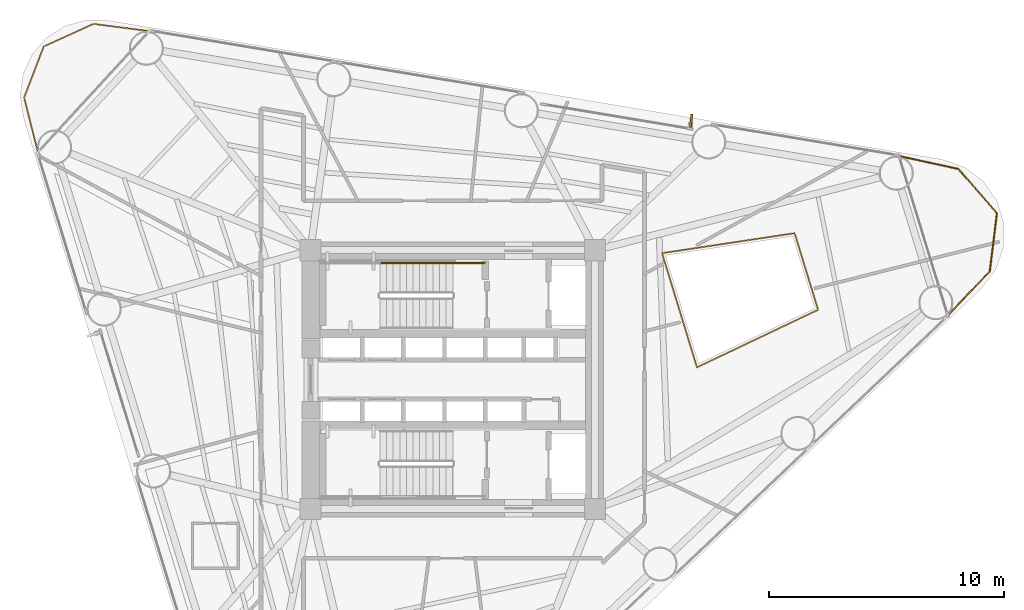
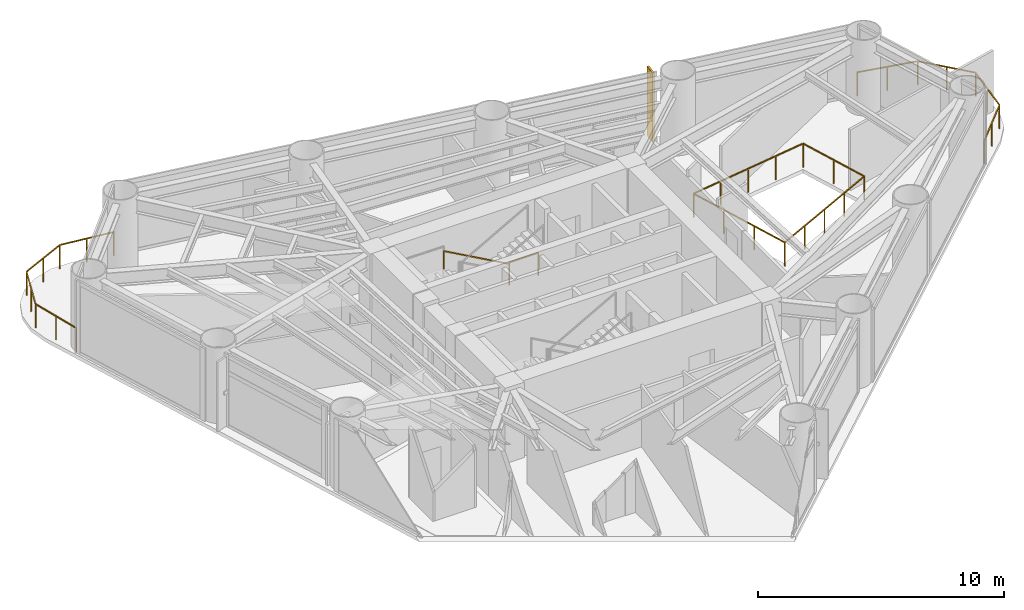
# One storey, part 10 of 10: 5 railings, 1 shading device.
"""IFC4 building model written with IfcOpenShell, lengths in metres."""

from ifc_helpers import new_model, si_unit, direction, frame, origin, origin_2d, place, context, subcontext, project, spatial, rectangle, extrude, source, transform, mapped, material, material_profile, profile_set, type_object, element, save


model = new_model("IFC4")

# Units and contexts
model_context = context("Model", 3, precision=1e-05, world=origin(), true_north=direction((0.0, 1.0)))
body_context = subcontext(model_context, "Body", "Model", "MODEL_VIEW")
ifc_project = project(units=[si_unit("LENGTHUNIT", "METRE"), si_unit("AREAUNIT", "SQUARE_METRE"), si_unit("VOLUMEUNIT", "CUBIC_METRE"), si_unit("PLANEANGLEUNIT", "RADIAN"), si_unit("MASSUNIT", "GRAM", prefix="KILO")], contexts=[model_context])

# Site, building, storey
site_placement = place(None, origin())
site = spatial("IfcSite", under=ifc_project, at=site_placement, CompositionType="ELEMENT")
building_placement = place(site_placement, origin())
building = spatial("IfcBuilding", under=site, at=building_placement, Name="Yunling Apex Tower", CompositionType="ELEMENT")
storey_placement = place(building_placement, frame((0.0, 0.0, 112.39990234375)))
storey = spatial("IfcBuildingStorey", under=building, at=storey_placement, Name="L28", CompositionType="ELEMENT", Elevation=112.39990234375)

# Railings
ifc_material_1 = material(Name="Bronze anodised aluminium", Category="aluminium")
railing_type_1 = type_object("IfcRailingType", Name="RL-BAL-1200", PredefinedType="BALUSTRADE", material=ifc_material_1)
railing_1_placement = place(storey_placement, frame((18.976806640625, 9.5029296875, 0.0)))
element("IfcRailing", 1, at=railing_1_placement, inside=storey, type_object=railing_type_1, Name="RL-CRNSILL-L28-1", PredefinedType="BALUSTRADE", context=body_context, shape_type="SweptSolid", body=[
    extrude(rectangle(XDim=0.0439453125, YDim=0.0439453125, at=origin_2d()), origin(), (0.0, 0.0, 1.0), 1.199951171875),
    extrude(rectangle(XDim=0.0439453125, YDim=0.0439453125, at=origin_2d()), frame((2.5205078125, -0.54833984375, 0.0)), (0.0, 0.0, 1.0), 1.199951171875),
    extrude(rectangle(XDim=0.050048828125, YDim=0.050048828125, at=origin_2d()), frame((0.037353515625, -0.008056640625, 1.1748046875), z_axis=(0.977143892078, -0.212578959861, 0.0), x_axis=(0.212578959861, 0.977143892078, 0.0)), (0.0, 0.0, 1.0), 2.502685546875),
    extrude(rectangle(XDim=0.0439453125, YDim=0.0439453125, at=origin_2d()), frame((1.26025390625, -0.274169921875, 0.0)), (0.0, 0.0, 1.0), 1.14599609375),
    extrude(rectangle(XDim=0.0439453125, YDim=0.0439453125, at=origin_2d()), frame((4.156005859375, -2.430419921875, 0.0)), (0.0, 0.0, 1.0), 1.199951171875),
    extrude(rectangle(XDim=0.050048828125, YDim=0.050048828125, at=origin_2d()), frame((2.545654296875, -0.577392578125, 1.1748046875), z_axis=(0.655928991852, -0.754822600117, 0.0), x_axis=(0.754822600117, 0.655928991852, 0.0)), (0.0, 0.0, 1.0), 2.416748046875),
    extrude(rectangle(XDim=0.0439453125, YDim=0.0439453125, at=origin_2d()), frame((3.33837890625, -1.4892578125, 0.0)), (0.0, 0.0, 1.0), 1.14599609375),
    extrude(rectangle(XDim=0.0439453125, YDim=0.0439453125, at=origin_2d()), frame((3.8525390625, -4.905517578125, 0.0)), (0.0, 0.0, 1.0), 1.199951171875),
    extrude(rectangle(XDim=0.050048828125, YDim=0.050048828125, at=origin_2d()), frame((4.1513671875, -2.468505859375, 1.1748046875), z_axis=(-0.121696705052, -0.992567333726, 0.0), x_axis=(0.992567333726, -0.121696705052, 0.0)), (0.0, 0.0, 1.0), 2.4169921875),
    extrude(rectangle(XDim=0.0439453125, YDim=0.0439453125, at=origin_2d()), frame((4.00439453125, -3.66796875, 0.0)), (0.0, 0.0, 1.0), 1.14599609375),
    extrude(rectangle(XDim=0.0439453125, YDim=0.0439453125, at=origin_2d()), frame((2.06982421875, -6.76953125, 0.0)), (0.0, 0.0, 1.0), 1.199951171875),
    extrude(rectangle(XDim=0.050048828125, YDim=0.050048828125, at=origin_2d()), frame((3.825927734375, -4.93310546875, 1.1748046875), z_axis=(-0.691171065155, -0.722691191791, 0.0), x_axis=(0.722691191791, -0.691171065155, 0.0)), (0.0, 0.0, 1.0), 2.502685546875),
    extrude(rectangle(XDim=0.0439453125, YDim=0.0439453125, at=origin_2d()), frame((2.961181640625, -5.83740234375, 0.0)), (0.0, 0.0, 1.0), 1.14599609375),
])
railing_2_placement = place(storey_placement, frame((-17.63525390625, 9.6669921875, 0.0)))
element("IfcRailing", 2, at=railing_2_placement, inside=storey, type_object=railing_type_1, Name="RL-CRNSILL-L28-2", PredefinedType="BALUSTRADE", context=body_context, shape_type="SweptSolid", body=[
    extrude(rectangle(XDim=0.0439453125, YDim=0.0439453125, at=origin_2d()), origin(), (0.0, 0.0, 1.0), 1.199951171875),
    extrude(rectangle(XDim=0.0439453125, YDim=0.0439453125, at=origin_2d()), frame((-0.58642578125, 2.31884765625, 0.0)), (0.0, 0.0, 1.0), 1.199951171875),
    extrude(rectangle(XDim=0.050048828125, YDim=0.050048828125, at=origin_2d()), frame((-0.00927734375, 0.037109375, 1.1748046875), z_axis=(-0.245176585422, 0.96947843811, 0.0), x_axis=(-0.96947843811, -0.245176585422, 0.0)), (0.0, 0.0, 1.0), 2.315185546875),
    extrude(rectangle(XDim=0.0439453125, YDim=0.0439453125, at=origin_2d()), frame((-0.293212890625, 1.159423828125, 0.0)), (0.0, 0.0, 1.0), 1.14599609375),
    extrude(rectangle(XDim=0.0439453125, YDim=0.0439453125, at=origin_2d()), frame((0.2470703125, 4.49267578125, 0.0)), (0.0, 0.0, 1.0), 1.199951171875),
    extrude(rectangle(XDim=0.050048828125, YDim=0.050048828125, at=origin_2d()), frame((-0.57275390625, 2.354736328125, 1.1748046875), z_axis=(0.358009154452, 0.933718075935, 0.0), x_axis=(-0.933718075935, 0.358009154452, 0.0)), (0.0, 0.0, 1.0), 2.25146484375),
    extrude(rectangle(XDim=0.0439453125, YDim=0.0439453125, at=origin_2d()), frame((-0.169677734375, 3.40576171875, 0.0)), (0.0, 0.0, 1.0), 1.14599609375),
    extrude(rectangle(XDim=0.0439453125, YDim=0.0439453125, at=origin_2d()), frame((2.359375, 5.453369140625, 0.0)), (0.0, 0.0, 1.0), 1.199951171875),
    extrude(rectangle(XDim=0.050048828125, YDim=0.050048828125, at=origin_2d()), frame((0.281982421875, 4.508544921875, 1.1748046875), z_axis=(0.910276378893, 0.4140011039, 0.0), x_axis=(-0.4140011039, 0.910276378893, 0.0)), (0.0, 0.0, 1.0), 2.243896484375),
    extrude(rectangle(XDim=0.0439453125, YDim=0.0439453125, at=origin_2d()), frame((1.30322265625, 4.97314453125, 0.0)), (0.0, 0.0, 1.0), 1.14599609375),
    extrude(rectangle(XDim=0.0439453125, YDim=0.0439453125, at=origin_2d()), frame((4.732666015625, 5.14794921875, 0.0)), (0.0, 0.0, 1.0), 1.199951171875),
    extrude(rectangle(XDim=0.050048828125, YDim=0.050048828125, at=origin_2d()), frame((2.3974609375, 5.448486328125, 1.1748046875), z_axis=(0.991820835982, -0.127637883532, 0.0), x_axis=(0.127637883532, 0.991820835982, 0.0)), (0.0, 0.0, 1.0), 2.316162109375),
    extrude(rectangle(XDim=0.0439453125, YDim=0.0439453125, at=origin_2d()), frame((3.5458984375, 5.30078125, 0.0)), (0.0, 0.0, 1.0), 1.14599609375),
])
railing_3_placement = place(storey_placement, frame((8.897216796875, 5.375244140625, 0.0)))
element("IfcRailing", 3, at=railing_3_placement, inside=storey, type_object=railing_type_1, Name="RL-TATR-L28", PredefinedType="BALUSTRADE", context=body_context, shape_type="SweptSolid", body=[
    extrude(rectangle(XDim=0.0439453125, YDim=0.0439453125, at=origin_2d()), origin(), (0.0, 0.0, 1.0), 1.199951171875),
    extrude(rectangle(XDim=0.0439453125, YDim=0.0439453125, at=origin_2d()), frame((5.637939453125, 0.849853515625, 0.0)), (0.0, 0.0, 1.0), 1.199951171875),
    extrude(rectangle(XDim=0.050048828125, YDim=0.050048828125, at=origin_2d()), frame((0.037841796875, 0.005615234375, 1.1748046875), z_axis=(0.988828994204, 0.149054420336, 0.0), x_axis=(-0.149054420336, 0.988828994204, 0.0)), (0.0, 0.0, 1.0), 5.625),
    extrude(rectangle(XDim=0.0439453125, YDim=0.0439453125, at=origin_2d()), frame((1.409423828125, 0.21240234375, 0.0)), (0.0, 0.0, 1.0), 1.14599609375),
    extrude(rectangle(XDim=0.0439453125, YDim=0.0439453125, at=origin_2d()), frame((2.81884765625, 0.4248046875, 0.0)), (0.0, 0.0, 1.0), 1.14599609375),
    extrude(rectangle(XDim=0.0439453125, YDim=0.0439453125, at=origin_2d()), frame((4.228515625, 0.637451171875, 0.0)), (0.0, 0.0, 1.0), 1.14599609375),
    extrude(rectangle(XDim=0.0439453125, YDim=0.0439453125, at=origin_2d()), frame((6.6337890625, -2.408203125, 0.0)), (0.0, 0.0, 1.0), 1.199951171875),
    extrude(rectangle(XDim=0.050048828125, YDim=0.050048828125, at=origin_2d()), frame((5.649169921875, 0.813232421875, 1.1748046875), z_axis=(0.292307744699, -0.956324308166, 0.0), x_axis=(0.956324308166, 0.292307744699, 0.0)), (0.0, 0.0, 1.0), 3.330078125),
    extrude(rectangle(XDim=0.0439453125, YDim=0.0439453125, at=origin_2d()), frame((6.1357421875, -0.779296875, 0.0)), (0.0, 0.0, 1.0), 1.14599609375),
    extrude(rectangle(XDim=0.0439453125, YDim=0.0439453125, at=origin_2d()), frame((1.484619140625, -4.856201171875, 0.0)), (0.0, 0.0, 1.0), 1.199951171875),
    extrude(rectangle(XDim=0.050048828125, YDim=0.050048828125, at=origin_2d()), frame((6.59912109375, -2.424560546875, 1.1748046875), z_axis=(-0.903131826937, -0.429363369622, 0.0), x_axis=(0.429363369622, -0.903131826937, 0.0)), (0.0, 0.0, 1.0), 5.624755859375),
    extrude(rectangle(XDim=0.0439453125, YDim=0.0439453125, at=origin_2d()), frame((5.346435546875, -3.020263671875, 0.0)), (0.0, 0.0, 1.0), 1.14599609375),
    extrude(rectangle(XDim=0.0439453125, YDim=0.0439453125, at=origin_2d()), frame((4.05908203125, -3.63232421875, 0.0)), (0.0, 0.0, 1.0), 1.14599609375),
    extrude(rectangle(XDim=0.0439453125, YDim=0.0439453125, at=origin_2d()), frame((2.77197265625, -4.244140625, 0.0)), (0.0, 0.0, 1.0), 1.14599609375),
    extrude(rectangle(XDim=0.050048828125, YDim=0.050048828125, at=origin_2d()), frame((1.473388671875, -4.819580078125, 1.1748046875), z_axis=(-0.292358998686, 0.956308640496, 0.0), x_axis=(-0.956308640496, -0.292358998686, 0.0)), (0.0, 0.0, 1.0), 5.00146484375),
    extrude(rectangle(XDim=0.0439453125, YDim=0.0439453125, at=origin_2d()), frame((0.98974609375, -3.237548828125, 0.0)), (0.0, 0.0, 1.0), 1.14599609375),
    extrude(rectangle(XDim=0.0439453125, YDim=0.0439453125, at=origin_2d()), frame((0.494873046875, -1.61865234375, 0.0)), (0.0, 0.0, 1.0), 1.14599609375),
])
ifc_material_2 = material(Name="Steel Q355B", Category="steel")
railing_type_2 = type_object("IfcRailingType", Name="RL-GRD-1150", PredefinedType="GUARDRAIL", material=ifc_material_2)
railing_4_placement = place(storey_placement, frame((1.35009765625, 4.9599609375, 0.0)))
element("IfcRailing", 4, at=railing_4_placement, inside=storey, type_object=railing_type_2, Name="L28 ST-1 stair guard 6", PredefinedType="GUARDRAIL", context=body_context, shape_type="SweptSolid", body=[
    extrude(rectangle(XDim=0.0439453125, YDim=0.0439453125, at=origin_2d()), origin(), (0.0, 0.0, 1.0), 1.14990234375),
    extrude(rectangle(XDim=0.0439453125, YDim=0.0439453125, at=origin_2d()), frame((-1.360107421875, 0.0, 0.0)), (0.0, 0.0, 1.0), 1.14990234375),
    extrude(rectangle(XDim=0.050048828125, YDim=0.050048828125, at=origin_2d()), frame((-0.038330078125, 0.0, 1.125), z_axis=(-1.0, 0.0, 0.0), x_axis=(0.0, -1.0, 0.0)), (0.0, 0.0, 1.0), 1.283447265625),
])
ifc_material_3 = material(Name="Silver anodised aluminium", Category="aluminium")
railing_type_3 = type_object("IfcRailingType", Name="RL-HND-900", PredefinedType="HANDRAIL", material=ifc_material_3)
railing_5_placement = place(storey_placement, frame((-0.010009765625, 4.9599609375, 0.15625)))
element("IfcRailing", 5, at=railing_5_placement, inside=storey, type_object=railing_type_3, Name="L28 ST-1 stair handrail 1", PredefinedType="HANDRAIL", context=body_context, shape_type="SweptSolid", body=[
    extrude(rectangle(XDim=0.0439453125, YDim=0.0439453125, at=origin_2d()), origin(), (0.0, 0.0, 1.0), 0.919921875),
    extrude(rectangle(XDim=0.0439453125, YDim=0.0439453125, at=origin_2d()), frame((-3.080078125, 0.0, 1.71875)), (0.0, 0.0, 1.0), 0.919921875),
    extrude(rectangle(XDim=0.050048828125, YDim=0.050048828125, at=origin_2d()), frame((-0.033447265625, 0.0, 0.91357421875), z_axis=(-0.873241540666, 0.0, 0.487287606713), x_axis=(0.0, -1.0, 0.0)), (0.0, 0.0, 1.0), 3.450439453125),
])

# Shading device
ifc_material_profile = material_profile(ifc_material_1, rectangle(XDim=0.0849609375, YDim=0.550048828125, at=origin_2d()))
ifc_profile_set = profile_set([ifc_material_profile], Name="Bronze anodised aluminium")
shading_device_type = type_object("IfcShadingDeviceType", Name="FN-BRZ-3", PredefinedType="USERDEFINED", material=ifc_profile_set)
shared_shape = source(origin(), body_context, "Body", "SweptSolid", [
    extrude(rectangle(XDim=0.0849609375, YDim=0.550048828125, at=origin_2d()), origin(), (0.0, 0.0, 1.0), 3.445068359375),
])
shading_device_placement = place(storey_placement, frame((10.135498046875, 11.00146484375, 0.06005859375), z_axis=(0.0, 0.0, 1.0), x_axis=(-0.995038220239, 0.099493418189, 0.0)))
element("IfcShadingDevice", 6, at=shading_device_placement, inside=storey, type_object=shading_device_type, Name="CW-L28-F2-B2-FIN-01", ObjectType="FIN", PredefinedType="USERDEFINED", context=body_context, shape_type="MappedRepresentation", body=[
    mapped(shared_shape, transform((0.0, 0.0, 0.0), scale=1.0)),
])

save(model, "model.ifc")
